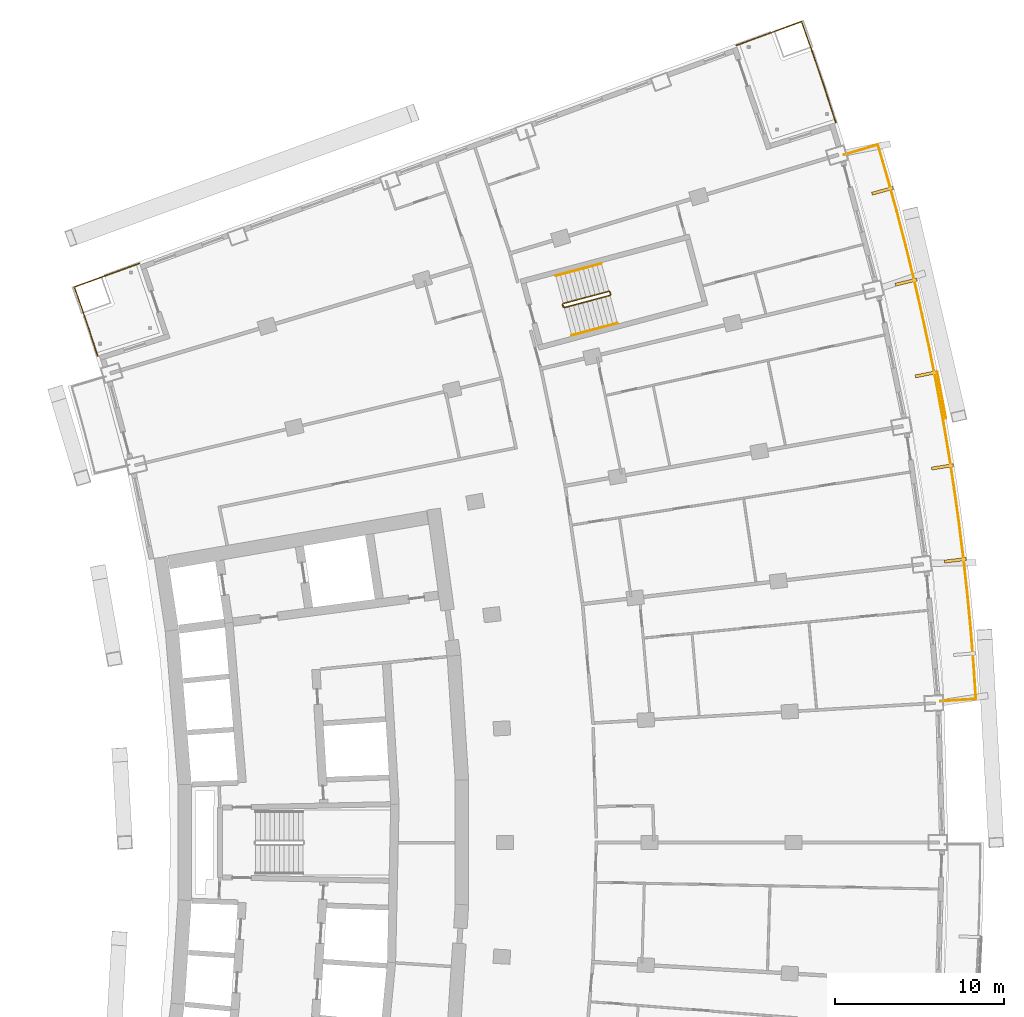
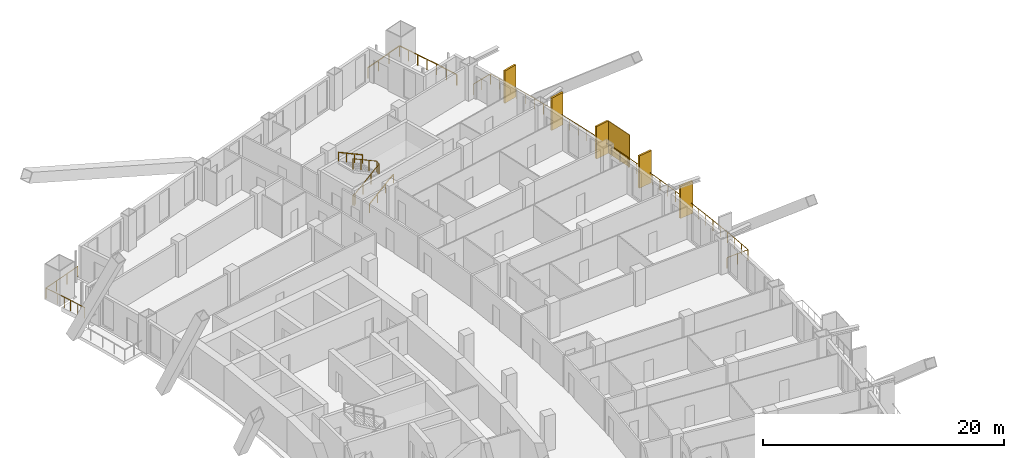
# One storey, part 25 of 25: 6 railings, 6 shading devices.
"""IFC4 building model written with IfcOpenShell, lengths in metres."""

from ifc_helpers import new_model, si_unit, direction, frame, origin, origin_2d, place, context, subcontext, project, spatial, rectangle, extrude, material, layer, layer_set, type_object, element, save


model = new_model("IFC4")

# Units and contexts
model_context = context("Model", 3, precision=1e-05, world=origin(), true_north=direction((0.0, 1.0)))
body_context = subcontext(model_context, "Body", "Model", "MODEL_VIEW")
ifc_project = project(units=[si_unit("LENGTHUNIT", "METRE"), si_unit("AREAUNIT", "SQUARE_METRE"), si_unit("VOLUMEUNIT", "CUBIC_METRE"), si_unit("PLANEANGLEUNIT", "RADIAN"), si_unit("MASSUNIT", "GRAM", prefix="KILO")], contexts=[model_context])

# Site, building, storey
site_placement = place(None, origin())
site = spatial("IfcSite", under=ifc_project, at=site_placement, CompositionType="ELEMENT")
building_placement = place(site_placement, origin())
building = spatial("IfcBuilding", under=site, at=building_placement, Name="Alderwake Tower", CompositionType="ELEMENT")
storey_placement = place(building_placement, frame((0.0, 0.0, 93.199951171875)))
storey = spatial("IfcBuildingStorey", under=building, at=storey_placement, Name="L22", CompositionType="ELEMENT", Elevation=93.199951171875)

# Railings
ifc_material_1 = material(Name="Stainless steel 316 rail and posts", Category="steel")
railing_type_1 = type_object("IfcRailingType", Name="Balcony guard 1100", PredefinedType="GUARDRAIL", material=ifc_material_1)
railing_1_placement = place(storey_placement, frame((61.552978515625, 69.365234375, 0.0)))
element("IfcRailing", 1, at=railing_1_placement, inside=storey, type_object=railing_type_1, Name="Guard BF08", PredefinedType="GUARDRAIL", context=body_context, shape_type="SweptSolid", body=[
    extrude(rectangle(XDim=0.048095703125, YDim=0.048095703125, at=origin_2d()), frame((0.0, 0.0, 1.076171875), z_axis=(0.998254674771, 0.059055942097, 0.0), x_axis=(-0.059055942097, 0.998254674771, 0.0)), (0.0, 0.0, 1.0), 2.10009765625),
    extrude(rectangle(XDim=0.048095703125, YDim=0.048095703125, at=origin_2d()), frame((2.096435546875, 0.1240234375, 1.076171875), z_axis=(-0.065967648342, 0.997821762326, 0.0), x_axis=(-0.997821762326, -0.065967648342, 0.0)), (0.0, 0.0, 1.0), 1.99853515625),
    extrude(rectangle(XDim=0.048095703125, YDim=0.048095703125, at=origin_2d()), frame((1.964599609375, 2.1181640625, 1.076171875), z_axis=(-0.080041152337, 0.996791559922, 0.0), x_axis=(-0.996791559922, -0.080041152337, 0.0)), (0.0, 0.0, 1.0), 2.0986328125),
    extrude(rectangle(XDim=0.048095703125, YDim=0.048095703125, at=origin_2d()), frame((1.796630859375, 4.2099609375, 1.076171875), z_axis=(-0.094699289711, 0.995505923904, 0.0), x_axis=(-0.995505923904, -0.094699289711, 0.0)), (0.0, 0.0, 1.0), 2.0986328125),
    extrude(rectangle(XDim=0.048095703125, YDim=0.048095703125, at=origin_2d()), frame((1.597900390625, 6.299072265625, 1.076171875), z_axis=(-0.109128966339, 0.994027599569, 0.0), x_axis=(-0.994027599569, -0.109128966339, 0.0)), (0.0, 0.0, 1.0), 2.098388671875),
    extrude(rectangle(XDim=0.048095703125, YDim=0.048095703125, at=origin_2d()), frame((1.368896484375, 8.385009765625, 1.076171875), z_axis=(-0.123662458816, 0.992324340264, 0.0), x_axis=(-0.992324340264, -0.123662458816, 0.0)), (0.0, 0.0, 1.0), 2.0986328125),
    extrude(rectangle(XDim=0.048095703125, YDim=0.048095703125, at=origin_2d()), frame((1.109375, 10.467529296875, 1.076171875), z_axis=(-0.138097834966, 0.990418592302, 0.0), x_axis=(-0.990418592302, -0.138097834966, 0.0)), (0.0, 0.0, 1.0), 2.098388671875),
    extrude(rectangle(XDim=0.048095703125, YDim=0.048095703125, at=origin_2d()), frame((0.819580078125, 12.5458984375, 1.076171875), z_axis=(-0.152520506341, 0.988300306155, 0.0), x_axis=(-0.988300306155, -0.152520506341, 0.0)), (0.0, 0.0, 1.0), 2.0986328125),
    extrude(rectangle(XDim=0.048095703125, YDim=0.048095703125, at=origin_2d()), frame((0.49951171875, 14.619873046875, 1.076171875), z_axis=(-0.16694530238, 0.985966158655, 0.0), x_axis=(-0.985966158655, -0.16694530238, 0.0)), (0.0, 0.0, 1.0), 2.0986328125),
    extrude(rectangle(XDim=0.048095703125, YDim=0.048095703125, at=origin_2d()), frame((0.149169921875, 16.68896484375, 1.076171875), z_axis=(-0.18126014614, 0.983435183132, 0.0), x_axis=(-0.983435183132, -0.18126014614, 0.0)), (0.0, 0.0, 1.0), 2.098388671875),
    extrude(rectangle(XDim=0.048095703125, YDim=0.048095703125, at=origin_2d()), frame((-0.231201171875, 18.752685546875, 1.076171875), z_axis=(-0.195691012753, 0.980665604336, 0.0), x_axis=(-0.980665604336, -0.195691012753, 0.0)), (0.0, 0.0, 1.0), 2.098388671875),
    extrude(rectangle(XDim=0.048095703125, YDim=0.048095703125, at=origin_2d()), frame((-0.641845703125, 20.810546875, 1.076171875), z_axis=(-0.209854794081, 0.977732563333, 0.0), x_axis=(-0.977732563333, -0.209854794081, 0.0)), (0.0, 0.0, 1.0), 2.0986328125),
    extrude(rectangle(XDim=0.048095703125, YDim=0.048095703125, at=origin_2d()), frame((-1.082275390625, 22.862548828125, 1.076171875), z_axis=(-0.224094649438, 0.974567385096, 0.0), x_axis=(-0.974567385096, -0.224094649438, 0.0)), (0.0, 0.0, 1.0), 2.098388671875),
    extrude(rectangle(XDim=0.048095703125, YDim=0.048095703125, at=origin_2d()), frame((-1.552490234375, 24.907470703125, 1.076171875), z_axis=(-0.238262937818, 0.971200685987, 0.0), x_axis=(-0.971200685987, -0.238262937818, 0.0)), (0.0, 0.0, 1.0), 2.0986328125),
    extrude(rectangle(XDim=0.048095703125, YDim=0.048095703125, at=origin_2d()), frame((-2.052490234375, 26.945556640625, 1.076171875), z_axis=(-0.252459784968, 0.967607387825, 0.0), x_axis=(-0.967607387825, -0.252459784968, 0.0)), (0.0, 0.0, 1.0), 2.098388671875),
    extrude(rectangle(XDim=0.048095703125, YDim=0.048095703125, at=origin_2d()), frame((-2.582275390625, 28.97607421875, 1.076171875), z_axis=(-0.266521673868, 0.963828925359, 0.0), x_axis=(-0.963828925359, -0.266521673868, 0.0)), (0.0, 0.0, 1.0), 2.0986328125),
    extrude(rectangle(XDim=0.048095703125, YDim=0.048095703125, at=origin_2d()), frame((-3.1416015625, 30.998779296875, 1.076171875), z_axis=(-0.280234538423, 0.95993156187, 0.0), x_axis=(-0.95993156187, -0.280234538423, 0.0)), (0.0, 0.0, 1.0), 1.99853515625),
    extrude(rectangle(XDim=0.048095703125, YDim=0.048095703125, at=origin_2d()), frame((-3.70166015625, 32.917236328125, 1.076171875), z_axis=(-0.957954179098, -0.286921227429, 0.0), x_axis=(0.286921227429, -0.957954179098, 0.0)), (0.0, 0.0, 1.0), 2.10009765625),
    extrude(rectangle(XDim=0.0419921875, YDim=0.0419921875, at=origin_2d()), frame((0.0, 0.0, 0.0), z_axis=(0.0, 0.0, 1.0), x_axis=(0.998254674771, 0.059055942097, 0.0)), (0.0, 0.0, 1.0), 1.052001953125),
    extrude(rectangle(XDim=0.0419921875, YDim=0.0419921875, at=origin_2d()), frame((1.04833984375, 0.06201171875, 0.0), z_axis=(0.0, 0.0, 1.0), x_axis=(0.998254674771, 0.059055942097, 0.0)), (0.0, 0.0, 1.0), 1.052001953125),
    extrude(rectangle(XDim=0.0419921875, YDim=0.0419921875, at=origin_2d()), frame((2.096435546875, 0.1240234375, 0.0), z_axis=(0.0, 0.0, 1.0), x_axis=(-0.065967648342, 0.997821762326, 0.0)), (0.0, 0.0, 1.0), 1.052001953125),
    extrude(rectangle(XDim=0.0419921875, YDim=0.0419921875, at=origin_2d()), frame((2.030517578125, 1.12109375, 0.0), z_axis=(0.0, 0.0, 1.0), x_axis=(-0.065967648342, 0.997821762326, 0.0)), (0.0, 0.0, 1.0), 1.052001953125),
    extrude(rectangle(XDim=0.0419921875, YDim=0.0419921875, at=origin_2d()), frame((1.964599609375, 2.1181640625, 0.0), z_axis=(0.0, 0.0, 1.0), x_axis=(-0.080041152337, 0.996791559922, 0.0)), (0.0, 0.0, 1.0), 1.052001953125),
    extrude(rectangle(XDim=0.0419921875, YDim=0.0419921875, at=origin_2d()), frame((1.880615234375, 3.1640625, 0.0), z_axis=(0.0, 0.0, 1.0), x_axis=(-0.080041152337, 0.996791559922, 0.0)), (0.0, 0.0, 1.0), 1.052001953125),
    extrude(rectangle(XDim=0.0419921875, YDim=0.0419921875, at=origin_2d()), frame((1.796630859375, 4.2099609375, 0.0), z_axis=(0.0, 0.0, 1.0), x_axis=(-0.094699289711, 0.995505923904, 0.0)), (0.0, 0.0, 1.0), 1.052001953125),
    extrude(rectangle(XDim=0.0419921875, YDim=0.0419921875, at=origin_2d()), frame((1.697265625, 5.25439453125, 0.0), z_axis=(0.0, 0.0, 1.0), x_axis=(-0.094699289711, 0.995505923904, 0.0)), (0.0, 0.0, 1.0), 1.052001953125),
    extrude(rectangle(XDim=0.0419921875, YDim=0.0419921875, at=origin_2d()), frame((1.597900390625, 6.299072265625, 0.0), z_axis=(0.0, 0.0, 1.0), x_axis=(-0.109128966339, 0.994027599569, 0.0)), (0.0, 0.0, 1.0), 1.052001953125),
    extrude(rectangle(XDim=0.0419921875, YDim=0.0419921875, at=origin_2d()), frame((1.4833984375, 7.342041015625, 0.0), z_axis=(0.0, 0.0, 1.0), x_axis=(-0.109128966339, 0.994027599569, 0.0)), (0.0, 0.0, 1.0), 1.052001953125),
    extrude(rectangle(XDim=0.0419921875, YDim=0.0419921875, at=origin_2d()), frame((1.368896484375, 8.385009765625, 0.0), z_axis=(0.0, 0.0, 1.0), x_axis=(-0.123662458816, 0.992324340264, 0.0)), (0.0, 0.0, 1.0), 1.052001953125),
    extrude(rectangle(XDim=0.0419921875, YDim=0.0419921875, at=origin_2d()), frame((1.2392578125, 9.42626953125, 0.0), z_axis=(0.0, 0.0, 1.0), x_axis=(-0.123662458816, 0.992324340264, 0.0)), (0.0, 0.0, 1.0), 1.052001953125),
    extrude(rectangle(XDim=0.0419921875, YDim=0.0419921875, at=origin_2d()), frame((1.109375, 10.467529296875, 0.0), z_axis=(0.0, 0.0, 1.0), x_axis=(-0.138097834966, 0.990418592302, 0.0)), (0.0, 0.0, 1.0), 1.052001953125),
    extrude(rectangle(XDim=0.0419921875, YDim=0.0419921875, at=origin_2d()), frame((0.96435546875, 11.5068359375, 0.0), z_axis=(0.0, 0.0, 1.0), x_axis=(-0.138097834966, 0.990418592302, 0.0)), (0.0, 0.0, 1.0), 1.052001953125),
    extrude(rectangle(XDim=0.0419921875, YDim=0.0419921875, at=origin_2d()), frame((0.819580078125, 12.5458984375, 0.0), z_axis=(0.0, 0.0, 1.0), x_axis=(-0.152520506341, 0.988300306155, 0.0)), (0.0, 0.0, 1.0), 1.052001953125),
    extrude(rectangle(XDim=0.0419921875, YDim=0.0419921875, at=origin_2d()), frame((0.65966796875, 13.5830078125, 0.0), z_axis=(0.0, 0.0, 1.0), x_axis=(-0.152520506341, 0.988300306155, 0.0)), (0.0, 0.0, 1.0), 1.052001953125),
    extrude(rectangle(XDim=0.0419921875, YDim=0.0419921875, at=origin_2d()), frame((0.49951171875, 14.619873046875, 0.0), z_axis=(0.0, 0.0, 1.0), x_axis=(-0.16694530238, 0.985966158655, 0.0)), (0.0, 0.0, 1.0), 1.052001953125),
    extrude(rectangle(XDim=0.0419921875, YDim=0.0419921875, at=origin_2d()), frame((0.32421875, 15.654296875, 0.0), z_axis=(0.0, 0.0, 1.0), x_axis=(-0.16694530238, 0.985966158655, 0.0)), (0.0, 0.0, 1.0), 1.052001953125),
    extrude(rectangle(XDim=0.0419921875, YDim=0.0419921875, at=origin_2d()), frame((0.149169921875, 16.68896484375, 0.0), z_axis=(0.0, 0.0, 1.0), x_axis=(-0.18126014614, 0.983435183132, 0.0)), (0.0, 0.0, 1.0), 1.052001953125),
    extrude(rectangle(XDim=0.0419921875, YDim=0.0419921875, at=origin_2d()), frame((-0.041015625, 17.720703125, 0.0), z_axis=(0.0, 0.0, 1.0), x_axis=(-0.18126014614, 0.983435183132, 0.0)), (0.0, 0.0, 1.0), 1.052001953125),
    extrude(rectangle(XDim=0.0419921875, YDim=0.0419921875, at=origin_2d()), frame((-0.231201171875, 18.752685546875, 0.0), z_axis=(0.0, 0.0, 1.0), x_axis=(-0.195691012753, 0.980665604336, 0.0)), (0.0, 0.0, 1.0), 1.052001953125),
    extrude(rectangle(XDim=0.0419921875, YDim=0.0419921875, at=origin_2d()), frame((-0.4365234375, 19.78173828125, 0.0), z_axis=(0.0, 0.0, 1.0), x_axis=(-0.195691012753, 0.980665604336, 0.0)), (0.0, 0.0, 1.0), 1.052001953125),
    extrude(rectangle(XDim=0.0419921875, YDim=0.0419921875, at=origin_2d()), frame((-0.641845703125, 20.810546875, 0.0), z_axis=(0.0, 0.0, 1.0), x_axis=(-0.209854794081, 0.977732563333, 0.0)), (0.0, 0.0, 1.0), 1.052001953125),
    extrude(rectangle(XDim=0.0419921875, YDim=0.0419921875, at=origin_2d()), frame((-0.862060546875, 21.83642578125, 0.0), z_axis=(0.0, 0.0, 1.0), x_axis=(-0.209854794081, 0.977732563333, 0.0)), (0.0, 0.0, 1.0), 1.052001953125),
    extrude(rectangle(XDim=0.0419921875, YDim=0.0419921875, at=origin_2d()), frame((-1.082275390625, 22.862548828125, 0.0), z_axis=(0.0, 0.0, 1.0), x_axis=(-0.224094649438, 0.974567385096, 0.0)), (0.0, 0.0, 1.0), 1.052001953125),
    extrude(rectangle(XDim=0.0419921875, YDim=0.0419921875, at=origin_2d()), frame((-1.3173828125, 23.885009765625, 0.0), z_axis=(0.0, 0.0, 1.0), x_axis=(-0.224094649438, 0.974567385096, 0.0)), (0.0, 0.0, 1.0), 1.052001953125),
    extrude(rectangle(XDim=0.0419921875, YDim=0.0419921875, at=origin_2d()), frame((-1.552490234375, 24.907470703125, 0.0), z_axis=(0.0, 0.0, 1.0), x_axis=(-0.238262937818, 0.971200685987, 0.0)), (0.0, 0.0, 1.0), 1.052001953125),
    extrude(rectangle(XDim=0.0419921875, YDim=0.0419921875, at=origin_2d()), frame((-1.802490234375, 25.926513671875, 0.0), z_axis=(0.0, 0.0, 1.0), x_axis=(-0.238262937818, 0.971200685987, 0.0)), (0.0, 0.0, 1.0), 1.052001953125),
    extrude(rectangle(XDim=0.0419921875, YDim=0.0419921875, at=origin_2d()), frame((-2.052490234375, 26.945556640625, 0.0), z_axis=(0.0, 0.0, 1.0), x_axis=(-0.252459784968, 0.967607387825, 0.0)), (0.0, 0.0, 1.0), 1.052001953125),
    extrude(rectangle(XDim=0.0419921875, YDim=0.0419921875, at=origin_2d()), frame((-2.3173828125, 27.9609375, 0.0), z_axis=(0.0, 0.0, 1.0), x_axis=(-0.252459784968, 0.967607387825, 0.0)), (0.0, 0.0, 1.0), 1.052001953125),
    extrude(rectangle(XDim=0.0419921875, YDim=0.0419921875, at=origin_2d()), frame((-2.582275390625, 28.97607421875, 0.0), z_axis=(0.0, 0.0, 1.0), x_axis=(-0.266521673868, 0.963828925359, 0.0)), (0.0, 0.0, 1.0), 1.052001953125),
    extrude(rectangle(XDim=0.0419921875, YDim=0.0419921875, at=origin_2d()), frame((-2.86181640625, 29.9873046875, 0.0), z_axis=(0.0, 0.0, 1.0), x_axis=(-0.266521673868, 0.963828925359, 0.0)), (0.0, 0.0, 1.0), 1.052001953125),
    extrude(rectangle(XDim=0.0419921875, YDim=0.0419921875, at=origin_2d()), frame((-3.1416015625, 30.998779296875, 0.0), z_axis=(0.0, 0.0, 1.0), x_axis=(-0.280234538423, 0.95993156187, 0.0)), (0.0, 0.0, 1.0), 1.052001953125),
    extrude(rectangle(XDim=0.0419921875, YDim=0.0419921875, at=origin_2d()), frame((-3.421630859375, 31.9580078125, 0.0), z_axis=(0.0, 0.0, 1.0), x_axis=(-0.280234538423, 0.95993156187, 0.0)), (0.0, 0.0, 1.0), 1.052001953125),
    extrude(rectangle(XDim=0.0419921875, YDim=0.0419921875, at=origin_2d()), frame((-3.70166015625, 32.917236328125, 0.0), z_axis=(0.0, 0.0, 1.0), x_axis=(-0.957954179098, -0.286921227429, 0.0)), (0.0, 0.0, 1.0), 1.052001953125),
    extrude(rectangle(XDim=0.0419921875, YDim=0.0419921875, at=origin_2d()), frame((-4.70751953125, 32.615966796875, 0.0), z_axis=(0.0, 0.0, 1.0), x_axis=(-0.957954179098, -0.286921227429, 0.0)), (0.0, 0.0, 1.0), 1.052001953125),
    extrude(rectangle(XDim=0.0419921875, YDim=0.0419921875, at=origin_2d()), frame((-5.71337890625, 32.314697265625, 0.0), z_axis=(0.0, 0.0, 1.0), x_axis=(-0.957954179098, -0.286921227429, 0.0)), (0.0, 0.0, 1.0), 1.052001953125),
])
railing_2_placement = place(storey_placement, frame((55.357666015625, 103.590087890625, 0.0)))
element("IfcRailing", 2, at=railing_2_placement, inside=storey, type_object=railing_type_1, Name="Guard terrace FN", PredefinedType="GUARDRAIL", context=body_context, shape_type="SweptSolid", body=[
    extrude(rectangle(XDim=0.048095703125, YDim=0.048095703125, at=origin_2d()), frame((0.0, 0.0, 1.076171875), z_axis=(-0.307791641716, 0.951453785157, 0.0), x_axis=(-0.951453785157, -0.307791641716, 0.0)), (0.0, 0.0, 1.0), 2.269287109375),
    extrude(rectangle(XDim=0.048095703125, YDim=0.048095703125, at=origin_2d()), frame((-0.698486328125, 2.1591796875, 1.076171875), z_axis=(-0.322203060236, 0.946670580495, 0.0), x_axis=(-0.946670580495, -0.322203060236, 0.0)), (0.0, 0.0, 1.0), 2.0693359375),
    extrude(rectangle(XDim=0.048095703125, YDim=0.048095703125, at=origin_2d()), frame((-1.365234375, 4.1181640625, 1.076171875), z_axis=(-0.335723744503, 0.94196049141, 0.0), x_axis=(-0.94196049141, -0.335723744503, 0.0)), (0.0, 0.0, 1.0), 1.96923828125),
    extrude(rectangle(XDim=0.048095703125, YDim=0.048095703125, at=origin_2d()), frame((-2.0263671875, 5.97314453125, 1.076171875), z_axis=(-0.939624669849, -0.342206779317, 0.0), x_axis=(0.342206779317, -0.939624669849, 0.0)), (0.0, 0.0, 1.0), 4.10009765625),
    extrude(rectangle(XDim=0.0419921875, YDim=0.0419921875, at=origin_2d()), frame((0.0, 0.0, 0.0), z_axis=(0.0, 0.0, 1.0), x_axis=(-0.307791641716, 0.951453785157, 0.0)), (0.0, 0.0, 1.0), 1.052001953125),
    extrude(rectangle(XDim=0.0419921875, YDim=0.0419921875, at=origin_2d()), frame((-0.34912109375, 1.07958984375, 0.0), z_axis=(0.0, 0.0, 1.0), x_axis=(-0.307791641716, 0.951453785157, 0.0)), (0.0, 0.0, 1.0), 1.052001953125),
    extrude(rectangle(XDim=0.0419921875, YDim=0.0419921875, at=origin_2d()), frame((-0.698486328125, 2.1591796875, 0.0), z_axis=(0.0, 0.0, 1.0), x_axis=(-0.322203060236, 0.946670580495, 0.0)), (0.0, 0.0, 1.0), 1.052001953125),
    extrude(rectangle(XDim=0.0419921875, YDim=0.0419921875, at=origin_2d()), frame((-1.03173828125, 3.138671875, 0.0), z_axis=(0.0, 0.0, 1.0), x_axis=(-0.322203060236, 0.946670580495, 0.0)), (0.0, 0.0, 1.0), 1.052001953125),
    extrude(rectangle(XDim=0.0419921875, YDim=0.0419921875, at=origin_2d()), frame((-1.365234375, 4.1181640625, 0.0), z_axis=(0.0, 0.0, 1.0), x_axis=(-0.335723744503, 0.94196049141, 0.0)), (0.0, 0.0, 1.0), 1.052001953125),
    extrude(rectangle(XDim=0.0419921875, YDim=0.0419921875, at=origin_2d()), frame((-1.69580078125, 5.045654296875, 0.0), z_axis=(0.0, 0.0, 1.0), x_axis=(-0.335723744503, 0.94196049141, 0.0)), (0.0, 0.0, 1.0), 1.052001953125),
    extrude(rectangle(XDim=0.0419921875, YDim=0.0419921875, at=origin_2d()), frame((-2.0263671875, 5.97314453125, 0.0), z_axis=(0.0, 0.0, 1.0), x_axis=(-0.939624669849, -0.342206779317, 0.0)), (0.0, 0.0, 1.0), 1.052001953125),
    extrude(rectangle(XDim=0.0419921875, YDim=0.0419921875, at=origin_2d()), frame((-3.310546875, 5.50537109375, 0.0), z_axis=(0.0, 0.0, 1.0), x_axis=(-0.939624669849, -0.342206779317, 0.0)), (0.0, 0.0, 1.0), 1.052001953125),
    extrude(rectangle(XDim=0.0419921875, YDim=0.0419921875, at=origin_2d()), frame((-4.5947265625, 5.037841796875, 0.0), z_axis=(0.0, 0.0, 1.0), x_axis=(-0.939624669849, -0.342206779317, 0.0)), (0.0, 0.0, 1.0), 1.052001953125),
    extrude(rectangle(XDim=0.0419921875, YDim=0.0419921875, at=origin_2d()), frame((-5.87890625, 4.570068359375, 0.0), z_axis=(0.0, 0.0, 1.0), x_axis=(-0.939624669849, -0.342206779317, 0.0)), (0.0, 0.0, 1.0), 1.052001953125),
])
railing_3_placement = place(storey_placement, frame((11.688720703125, 89.781982421875, 0.0)))
element("IfcRailing", 3, at=railing_3_placement, inside=storey, type_object=railing_type_1, Name="Guard terrace RN", PredefinedType="GUARDRAIL", context=body_context, shape_type="SweptSolid", body=[
    extrude(rectangle(XDim=0.048095703125, YDim=0.048095703125, at=origin_2d()), frame((0.0, 0.0, 1.076171875), z_axis=(-0.307479326145, 0.951554761426, 0.0), x_axis=(-0.951554761426, -0.307479326145, 0.0)), (0.0, 0.0, 1.0), 1.6015625),
    extrude(rectangle(XDim=0.048095703125, YDim=0.048095703125, at=origin_2d()), frame((-0.492431640625, 1.52392578125, 1.076171875), z_axis=(-0.322283727344, 0.946643121292, 0.0), x_axis=(-0.946643121292, -0.322283727344, 0.0)), (0.0, 0.0, 1.0), 1.4013671875),
    extrude(rectangle(XDim=0.048095703125, YDim=0.048095703125, at=origin_2d()), frame((-0.944091796875, 2.8505859375, 1.076171875), z_axis=(-0.335468607403, 0.942051385778, 0.0), x_axis=(-0.942051385778, -0.335468607403, 0.0)), (0.0, 0.0, 1.0), 1.30126953125),
    extrude(rectangle(XDim=0.048095703125, YDim=0.048095703125, at=origin_2d()), frame((-1.380615234375, 4.076416015625, 1.076171875), z_axis=(0.939708203232, 0.341977327873, 0.0), x_axis=(-0.341977327873, 0.939708203232, 0.0)), (0.0, 0.0, 1.0), 4.10009765625),
    extrude(rectangle(XDim=0.0419921875, YDim=0.0419921875, at=origin_2d()), frame((0.0, 0.0, 0.0), z_axis=(0.0, 0.0, 1.0), x_axis=(-0.307479326145, 0.951554761426, 0.0)), (0.0, 0.0, 1.0), 1.052001953125),
    extrude(rectangle(XDim=0.0419921875, YDim=0.0419921875, at=origin_2d()), frame((-0.24609375, 0.761962890625, 0.0), z_axis=(0.0, 0.0, 1.0), x_axis=(-0.307479326145, 0.951554761426, 0.0)), (0.0, 0.0, 1.0), 1.052001953125),
    extrude(rectangle(XDim=0.0419921875, YDim=0.0419921875, at=origin_2d()), frame((-0.492431640625, 1.52392578125, 0.0), z_axis=(0.0, 0.0, 1.0), x_axis=(-0.322283727344, 0.946643121292, 0.0)), (0.0, 0.0, 1.0), 1.052001953125),
    extrude(rectangle(XDim=0.0419921875, YDim=0.0419921875, at=origin_2d()), frame((-0.71826171875, 2.187255859375, 0.0), z_axis=(0.0, 0.0, 1.0), x_axis=(-0.322283727344, 0.946643121292, 0.0)), (0.0, 0.0, 1.0), 1.052001953125),
    extrude(rectangle(XDim=0.0419921875, YDim=0.0419921875, at=origin_2d()), frame((-0.944091796875, 2.8505859375, 0.0), z_axis=(0.0, 0.0, 1.0), x_axis=(-0.335468607403, 0.942051385778, 0.0)), (0.0, 0.0, 1.0), 1.052001953125),
    extrude(rectangle(XDim=0.0419921875, YDim=0.0419921875, at=origin_2d()), frame((-1.380615234375, 4.076416015625, 0.0), z_axis=(0.0, 0.0, 1.0), x_axis=(0.939708203232, 0.341977327873, 0.0)), (0.0, 0.0, 1.0), 1.052001953125),
    extrude(rectangle(XDim=0.0419921875, YDim=0.0419921875, at=origin_2d()), frame((-0.096435546875, 4.543701171875, 0.0), z_axis=(0.0, 0.0, 1.0), x_axis=(0.939708203232, 0.341977327873, 0.0)), (0.0, 0.0, 1.0), 1.052001953125),
    extrude(rectangle(XDim=0.0419921875, YDim=0.0419921875, at=origin_2d()), frame((1.18798828125, 5.01123046875, 0.0), z_axis=(0.0, 0.0, 1.0), x_axis=(0.939708203232, 0.341977327873, 0.0)), (0.0, 0.0, 1.0), 1.052001953125),
    extrude(rectangle(XDim=0.0419921875, YDim=0.0419921875, at=origin_2d()), frame((2.47216796875, 5.478515625, 0.0), z_axis=(0.0, 0.0, 1.0), x_axis=(0.939708203232, 0.341977327873, 0.0)), (0.0, 0.0, 1.0), 1.052001953125),
])

# Shading devices
ifc_material_2 = material(Name="Bronze anodised aluminium", Category="aluminium")
ifc_layer_1 = layer(ifc_material_2, 0.179931640625)
ifc_layer_set_1 = layer_set([ifc_layer_1], Name="Facade fin 1300")
shading_device_type_1 = type_object("IfcShadingDeviceType", Name="Facade fin 1300", PredefinedType="USERDEFINED", material=ifc_layer_set_1)
for number, where, z_axis, x_axis, name in (
    (4, (62.424560546875, 77.69677734375, 0.0), (0.0, 0.0, 1.0), (0.993198315083, 0.116434990084, 0.0), "Fin"),
    (5, (61.66748046875, 83.22314453125, 0.0), (0.0, 0.0, 1.0), (0.987918787879, 0.154972476771, 0.0), "Fin"),
    (6, (60.698974609375, 88.70166015625, 0.0), (0.0, 0.0, 1.0), (0.981163751315, 0.193177879441, 0.0), "Fin"),
    (7, (59.51513671875, 94.152587890625, 0.0), (0.0, 0.0, 1.0), (0.972908790564, 0.231189284448, 0.0), "Fin"),
    (8, (58.120361328125, 99.55322265625, 0.0), (0.0, 0.0, 1.0), (0.96318180783, 0.268850897459, 0.0), "Fin"),
):
    element("IfcShadingDevice", number, at=place(storey_placement, frame(where, z_axis=z_axis, x_axis=x_axis)), inside=storey, type_object=shading_device_type_1, Name=name, ObjectType="FIN", PredefinedType="USERDEFINED", context=body_context, shape_type="SweptSolid", body=[
        extrude(rectangle(XDim=1.300048828125, YDim=0.179931640625, at=origin_2d()), origin(), (0.0, 0.0, 1.0), 3.280029296875),
    ])
ifc_material_3 = material(Name="Perforated bronze anodised aluminium", Category="aluminium")
ifc_layer_2 = layer(ifc_material_3, 0.050048828125)
ifc_layer_set_2 = layer_set([ifc_layer_2], Name="Perforated screen panel")
shading_device_type_2 = type_object("IfcShadingDeviceType", Name="Perforated screen panel", PredefinedType="USERDEFINED", material=ifc_layer_set_2)
shading_device_placement = place(storey_placement, frame((61.617919921875, 87.45849609375, 0.0), z_axis=(0.0, 0.0, 1.0), x_axis=(0.982991488043, 0.183651121519, 0.0)))
element("IfcShadingDevice", 9, at=shading_device_placement, inside=storey, type_object=shading_device_type_2, Name="Screen panel", ObjectType="SCREEN", PredefinedType="USERDEFINED", context=body_context, shape_type="SweptSolid", body=[
    extrude(rectangle(XDim=0.050048828125, YDim=2.794921875, at=origin_2d()), origin(), (0.0, 0.0, 1.0), 3.280029296875),
])

# Railings
ifc_material_4 = material(Name="Stainless steel guard", Category="steel")
railing_type_2 = type_object("IfcRailingType", Name="Stair guard 1100", PredefinedType="GUARDRAIL", material=ifc_material_4)
railing_4_placement = place(storey_placement, frame((39.23291015625, 92.6806640625, 0.0)))
element("IfcRailing", 10, at=railing_4_placement, inside=storey, type_object=railing_type_2, Name="L22 ST-A stair guard 1", PredefinedType="GUARDRAIL", context=body_context, shape_type="SweptSolid", body=[
    extrude(rectangle(XDim=0.048095703125, YDim=0.048095703125, at=origin_2d()), frame((0.0, 0.0, 1.076171875), z_axis=(-0.257055032184, 0.966396766566, 0.0), x_axis=(-0.966396766566, -0.257055032184, 0.0)), (0.0, 0.0, 1.0), 0.150146484375),
    extrude(rectangle(XDim=0.048095703125, YDim=0.048095703125, at=origin_2d()), frame((-0.03857421875, 0.14501953125, 1.076171875), z_axis=(0.379370725808, -0.685464465458, 0.621463047167), x_axis=(0.874937996095, 0.484234966715, 0.0)), (0.0, 0.0, 1.0), 0.26318359375),
    extrude(rectangle(XDim=0.048095703125, YDim=0.048095703125, at=origin_2d()), frame((0.061279296875, -0.035400390625, 1.23974609375), z_axis=(0.834258940753, 0.22222815314, 0.504605457487), x_axis=(-0.257402139082, 0.966304371715, 0.0)), (0.0, 0.0, 1.0), 3.2431640625),
    extrude(rectangle(XDim=0.048095703125, YDim=0.048095703125, at=origin_2d()), frame((2.766845703125, 0.685302734375, 2.8759765625), z_axis=(0.500220121494, 0.865898279276, 0.0), x_axis=(-0.865898279276, 0.500220121494, 0.0)), (0.0, 0.0, 1.0), 0.07080078125),
    extrude(rectangle(XDim=0.048095703125, YDim=0.048095703125, at=origin_2d()), frame((2.80224609375, 0.74658203125, 2.8759765625), z_axis=(-0.257459803502, 0.966289009345, 0.0), x_axis=(-0.966289009345, -0.257459803502, 0.0)), (0.0, 0.0, 1.0), 0.14990234375),
    extrude(rectangle(XDim=0.048095703125, YDim=0.048095703125, at=origin_2d()), frame((2.763671875, 0.891357421875, 2.8759765625), z_axis=(-0.34252489212, 0.200034536998, 0.917966710881), x_axis=(-0.504300490226, -0.863528236688, 0.0)), (0.0, 0.0, 1.0), 0.17822265625),
    extrude(rectangle(XDim=0.048095703125, YDim=0.048095703125, at=origin_2d()), frame((2.70263671875, 0.927001953125, 3.03955078125), z_axis=(-0.834281824786, -0.222214197128, 0.504573768072), x_axis=(0.257380452725, -0.966310148221, 0.0)), (0.0, 0.0, 1.0), 3.2431640625),
    extrude(rectangle(XDim=0.0419921875, YDim=0.0419921875, at=origin_2d()), frame((0.0, 0.0, 0.0), z_axis=(0.0, 0.0, 1.0), x_axis=(-0.257055032184, 0.966396766566, 0.0)), (0.0, 0.0, 1.0), 1.052001953125),
    extrude(rectangle(XDim=0.0419921875, YDim=0.0419921875, at=origin_2d()), frame((-0.03857421875, 0.14501953125, 0.0), z_axis=(0.0, 0.0, 1.0), x_axis=(0.484234966715, -0.874937996095, 0.0)), (0.0, 0.0, 1.0), 1.052001953125),
    extrude(rectangle(XDim=0.0419921875, YDim=0.0419921875, at=origin_2d()), frame((0.061279296875, -0.035400390625, 0.16357421875), z_axis=(0.0, 0.0, 1.0), x_axis=(0.966304371715, 0.257402139082, 0.0)), (0.0, 0.0, 1.0), 1.052001953125),
    extrude(rectangle(XDim=0.0419921875, YDim=0.0419921875, at=origin_2d()), frame((0.963134765625, 0.204833984375, 0.708984375), z_axis=(0.0, 0.0, 1.0), x_axis=(0.966304371715, 0.257402139082, 0.0)), (0.0, 0.0, 1.0), 1.052001953125),
    extrude(rectangle(XDim=0.0419921875, YDim=0.0419921875, at=origin_2d()), frame((1.864990234375, 0.445068359375, 1.254638671875), z_axis=(0.0, 0.0, 1.0), x_axis=(0.966304371715, 0.257402139082, 0.0)), (0.0, 0.0, 1.0), 1.052001953125),
    extrude(rectangle(XDim=0.0419921875, YDim=0.0419921875, at=origin_2d()), frame((2.766845703125, 0.685302734375, 1.800048828125), z_axis=(0.0, 0.0, 1.0), x_axis=(0.500220121494, 0.865898279276, 0.0)), (0.0, 0.0, 1.0), 1.052001953125),
    extrude(rectangle(XDim=0.0419921875, YDim=0.0419921875, at=origin_2d()), frame((2.80224609375, 0.74658203125, 1.800048828125), z_axis=(0.0, 0.0, 1.0), x_axis=(-0.257459803502, 0.966289009345, 0.0)), (0.0, 0.0, 1.0), 1.052001953125),
    extrude(rectangle(XDim=0.0419921875, YDim=0.0419921875, at=origin_2d()), frame((2.763671875, 0.891357421875, 1.800048828125), z_axis=(0.0, 0.0, 1.0), x_axis=(-0.863528236688, 0.504300490226, 0.0)), (0.0, 0.0, 1.0), 1.052001953125),
    extrude(rectangle(XDim=0.0419921875, YDim=0.0419921875, at=origin_2d()), frame((2.70263671875, 0.927001953125, 1.963623046875), z_axis=(0.0, 0.0, 1.0), x_axis=(-0.966310148221, -0.257380452725, 0.0)), (0.0, 0.0, 1.0), 1.052001953125),
    extrude(rectangle(XDim=0.0419921875, YDim=0.0419921875, at=origin_2d()), frame((1.80078125, 0.686767578125, 2.509033203125), z_axis=(0.0, 0.0, 1.0), x_axis=(-0.966310148221, -0.257380452725, 0.0)), (0.0, 0.0, 1.0), 1.052001953125),
    extrude(rectangle(XDim=0.0419921875, YDim=0.0419921875, at=origin_2d()), frame((0.898681640625, 0.446533203125, 3.0546875), z_axis=(0.0, 0.0, 1.0), x_axis=(-0.966310148221, -0.257380452725, 0.0)), (0.0, 0.0, 1.0), 1.052001953125),
    extrude(rectangle(XDim=0.0419921875, YDim=0.0419921875, at=origin_2d()), frame((-0.003173828125, 0.206298828125, 3.60009765625), z_axis=(0.0, 0.0, 1.0), x_axis=(-0.966310148221, -0.257380452725, 0.0)), (0.0, 0.0, 1.0), 1.052001953125),
])
ifc_material_5 = material(Name="Stainless steel handrail", Category="steel")
railing_type_3 = type_object("IfcRailingType", Name="Stair handrail 900", PredefinedType="HANDRAIL", material=ifc_material_5)
railing_5_placement = place(storey_placement, frame((39.731689453125, 91.002685546875, 0.16357421875)))
element("IfcRailing", 11, at=railing_5_placement, inside=storey, type_object=railing_type_3, Name="L22 ST-A stair handrail 1", PredefinedType="HANDRAIL", context=body_context, shape_type="SweptSolid", body=[
    extrude(rectangle(XDim=0.048095703125, YDim=0.048095703125, at=origin_2d()), frame((0.0, 0.0, 0.8759765625), z_axis=(0.834258940753, 0.22222815314, 0.504605457487), x_axis=(-0.257402139082, 0.966304371715, 0.0)), (0.0, 0.0, 1.0), 3.2431640625),
    extrude(rectangle(XDim=0.0419921875, YDim=0.0419921875, at=origin_2d()), frame((0.0, 0.0, 0.0), z_axis=(0.0, 0.0, 1.0), x_axis=(0.966304371715, 0.257402139082, 0.0)), (0.0, 0.0, 1.0), 0.851806640625),
    extrude(rectangle(XDim=0.0419921875, YDim=0.0419921875, at=origin_2d()), frame((0.90185546875, 0.240234375, 0.54541015625), z_axis=(0.0, 0.0, 1.0), x_axis=(0.966304371715, 0.257402139082, 0.0)), (0.0, 0.0, 1.0), 0.851806640625),
    extrude(rectangle(XDim=0.0419921875, YDim=0.0419921875, at=origin_2d()), frame((1.8037109375, 0.48046875, 1.091064453125), z_axis=(0.0, 0.0, 1.0), x_axis=(0.966304371715, 0.257402139082, 0.0)), (0.0, 0.0, 1.0), 0.851806640625),
    extrude(rectangle(XDim=0.0419921875, YDim=0.0419921875, at=origin_2d()), frame((2.70556640625, 0.720703125, 1.636474609375), z_axis=(0.0, 0.0, 1.0), x_axis=(0.966304371715, 0.257402139082, 0.0)), (0.0, 0.0, 1.0), 0.851806640625),
])
railing_6_placement = place(storey_placement, frame((41.497802734375, 95.250244140625, 1.963623046875)))
element("IfcRailing", 12, at=railing_6_placement, inside=storey, type_object=railing_type_3, Name="L22 ST-A stair handrail 2", PredefinedType="HANDRAIL", context=body_context, shape_type="SweptSolid", body=[
    extrude(rectangle(XDim=0.048095703125, YDim=0.048095703125, at=origin_2d()), frame((0.0, 0.0, 0.8759765625), z_axis=(-0.834258940753, -0.22222815314, 0.504605457487), x_axis=(0.257402139082, -0.966304371715, 0.0)), (0.0, 0.0, 1.0), 3.2431640625),
    extrude(rectangle(XDim=0.0419921875, YDim=0.0419921875, at=origin_2d()), frame((0.0, 0.0, 0.0), z_axis=(0.0, 0.0, 1.0), x_axis=(-0.966304371715, -0.257402139082, 0.0)), (0.0, 0.0, 1.0), 0.851806640625),
    extrude(rectangle(XDim=0.0419921875, YDim=0.0419921875, at=origin_2d()), frame((-0.90185546875, -0.240234375, 0.54541015625), z_axis=(0.0, 0.0, 1.0), x_axis=(-0.966304371715, -0.257402139082, 0.0)), (0.0, 0.0, 1.0), 0.851806640625),
    extrude(rectangle(XDim=0.0419921875, YDim=0.0419921875, at=origin_2d()), frame((-1.8037109375, -0.48046875, 1.091064453125), z_axis=(0.0, 0.0, 1.0), x_axis=(-0.966304371715, -0.257402139082, 0.0)), (0.0, 0.0, 1.0), 0.851806640625),
    extrude(rectangle(XDim=0.0419921875, YDim=0.0419921875, at=origin_2d()), frame((-2.70556640625, -0.720703125, 1.636474609375), z_axis=(0.0, 0.0, 1.0), x_axis=(-0.966304371715, -0.257402139082, 0.0)), (0.0, 0.0, 1.0), 0.851806640625),
])

save(model, "model.ifc")
